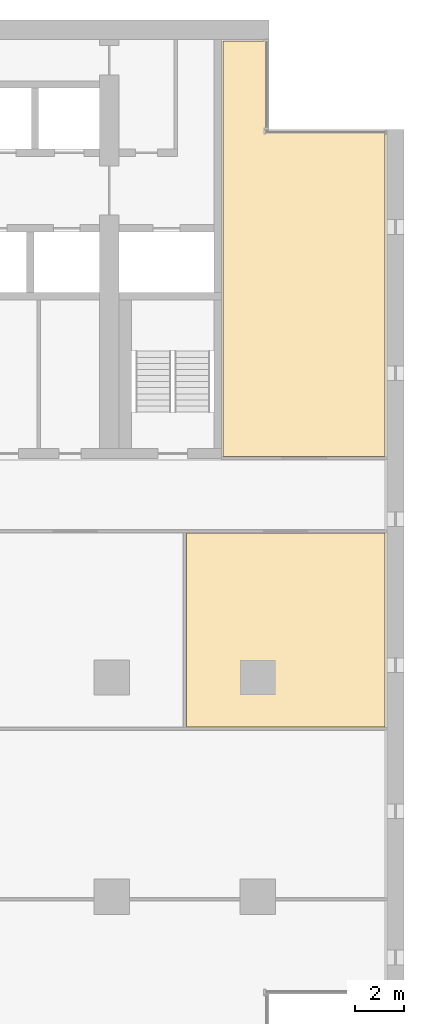
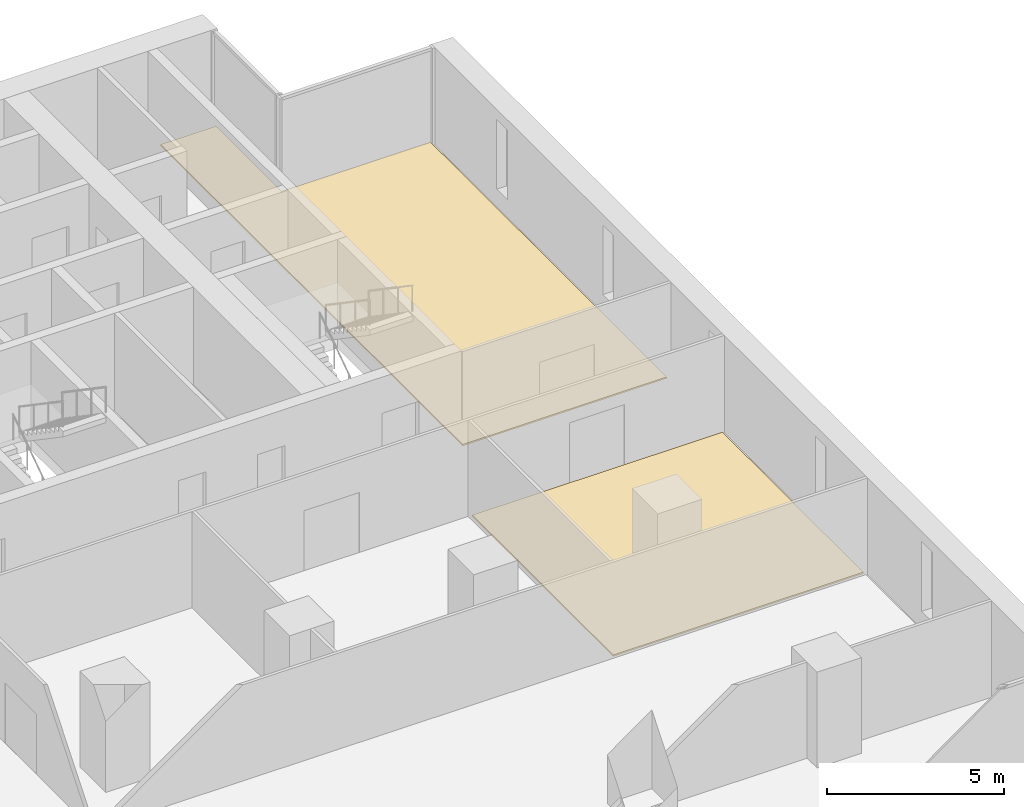
# One storey, part 17 of 17: 2 coverings.
"""IFC4 building model written with IfcOpenShell, lengths in metres."""

from ifc_helpers import new_model, si_unit, direction, frame, origin, place, context, subcontext, project, spatial, polyline, outline, extrude, material, layer, layer_set, type_object, element, save


model = new_model("IFC4")

# Units and contexts
model_context = context("Model", 3, precision=1e-05, world=origin(), true_north=direction((0.0, 1.0)))
body_context = subcontext(model_context, "Body", "Model", "MODEL_VIEW")
ifc_project = project(units=[si_unit("LENGTHUNIT", "METRE"), si_unit("AREAUNIT", "SQUARE_METRE"), si_unit("VOLUMEUNIT", "CUBIC_METRE"), si_unit("PLANEANGLEUNIT", "RADIAN"), si_unit("MASSUNIT", "GRAM", prefix="KILO")], contexts=[model_context])

# Site, building, storey
site_placement = place(None, origin())
site = spatial("IfcSite", under=ifc_project, at=site_placement, CompositionType="ELEMENT")
building_placement = place(site_placement, origin())
building = spatial("IfcBuilding", under=site, at=building_placement, Name="Calvaro Tower", CompositionType="ELEMENT")
storey_placement = place(building_placement, frame((0.0, 0.0, 98.75)))
storey = spatial("IfcBuildingStorey", under=building, at=storey_placement, Name="L24", CompositionType="ELEMENT", Elevation=98.75)

# Coverings
ifc_material = material(Name="Cement screed with carpet tile finish")
ifc_layer = layer(ifc_material, 0.050048828125)
ifc_layer_set = layer_set([ifc_layer], Name="Cement screed with carpet tile finish")
covering_type = type_object("IfcCoveringType", Name="Floor finish 50", PredefinedType="FLOORING", material=ifc_layer_set)
covering_1_placement = place(storey_placement, origin())
element("IfcCovering", 1, at=covering_1_placement, inside=storey, type_object=covering_type, Name="Floor finish 16.13", PredefinedType="FLOORING", context=body_context, shape_type="SweptSolid", body=[
    extrude(outline(polyline([(71.22998046875, 16.969970703125), (63.070068359375, 16.969970703125), (63.070068359375, 24.929931640625), (71.22998046875, 24.929931640625), (71.22998046875, 16.969970703125)])), origin(), (0.0, 0.0, 1.0), 0.050048828125),
])
covering_2_placement = place(storey_placement, origin())
element("IfcCovering", 2, at=covering_2_placement, inside=storey, type_object=covering_type, Name="Floor finish 16.17", PredefinedType="FLOORING", context=body_context, shape_type="SweptSolid", body=[
    extrude(outline(polyline([(71.22998046875, 28.070068359375), (64.570068359375, 28.070068359375), (64.570068359375, 45.1298828125), (66.3798828125, 45.1298828125), (66.3798828125, 41.429931640625), (71.22998046875, 41.429931640625), (71.22998046875, 28.070068359375)])), origin(), (0.0, 0.0, 1.0), 0.050048828125),
])

save(model, "model.ifc")
